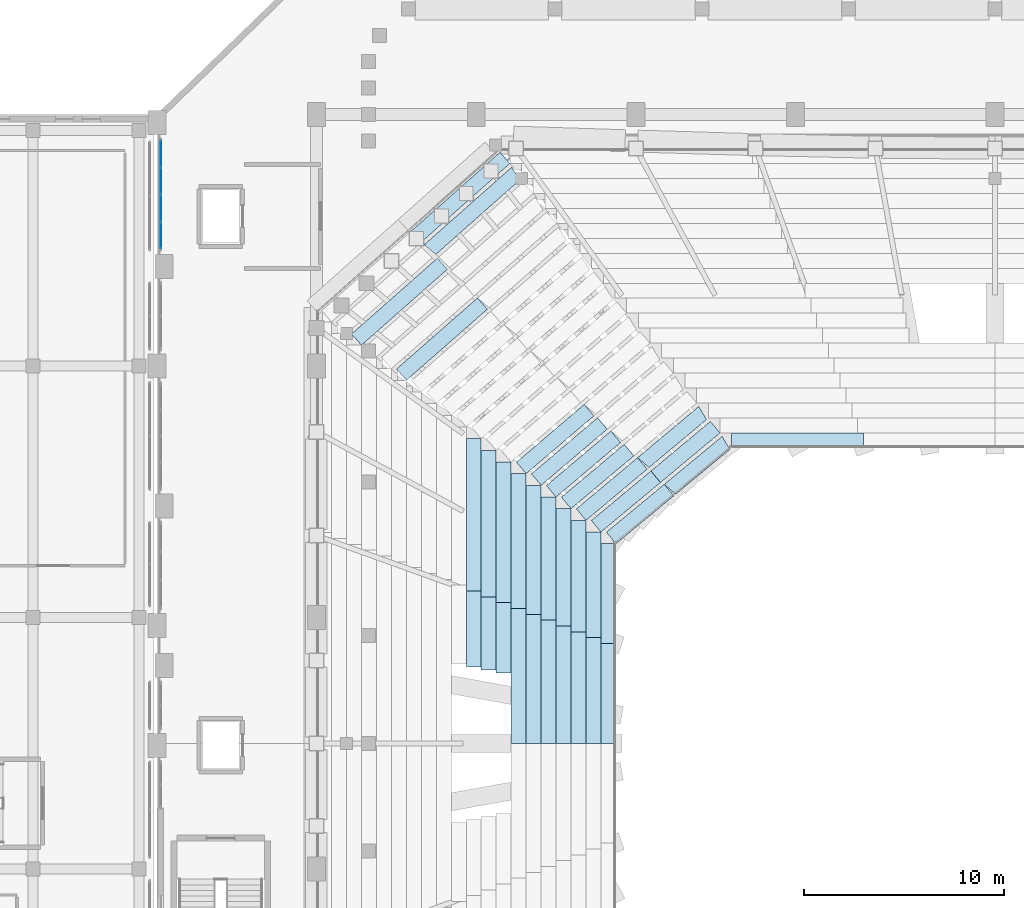
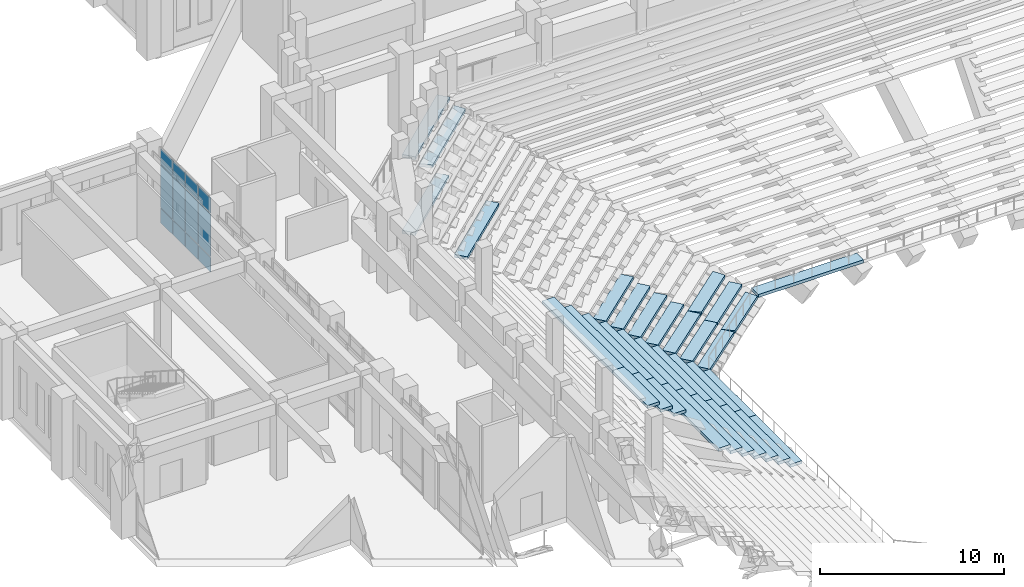
# One storey, part 101 of 159: 35 slabs, 12 plates, 1 element without a shape of its own.
"""IFC4 building model written with IfcOpenShell, lengths in metres."""

from ifc_helpers import new_model, si_unit, derived_unit, direction, frame, origin, origin_2d, place, context, subcontext, project, spatial, polyline, rectangle, outline, extrude, material, layer, layer_set, type_object, element, aggregate, save


model = new_model("IFC4")

# Units and contexts
model_context = context("Model", 3, precision=1e-05, world=origin(), true_north=direction((0.0, 1.0)))
body_context = subcontext(model_context, "Body", "Model", "MODEL_VIEW")
ifc_project = project(units=[si_unit("LENGTHUNIT", "METRE"), si_unit("AREAUNIT", "SQUARE_METRE"), si_unit("VOLUMEUNIT", "CUBIC_METRE"), si_unit("PLANEANGLEUNIT", "RADIAN"), si_unit("MASSUNIT", "GRAM", prefix="KILO"), derived_unit("THERMALTRANSMITTANCEUNIT", [(si_unit("MASSUNIT", "GRAM", prefix="KILO"), 1), (si_unit("TIMEUNIT", "SECOND"), -3), (si_unit("THERMODYNAMICTEMPERATUREUNIT", "KELVIN"), -1)])], contexts=[model_context])

# Site, building, storey
site_placement = place(None, origin())
site = spatial("IfcSite", under=ifc_project, at=site_placement, CompositionType="ELEMENT")
building_placement = place(site_placement, origin())
building = spatial("IfcBuilding", under=site, at=building_placement, Name="Valcora Ridge Arena", CompositionType="ELEMENT")
storey_placement = place(building_placement, frame((0.0, 0.0, 6.0)))
storey = spatial("IfcBuildingStorey", under=building, at=storey_placement, Name="L01", CompositionType="ELEMENT", Elevation=6.0)

# Curtain wall, plates
ifc_material_1 = material(Name="Anodised dark bronze architectural aluminium 6063-T6", Category="aluminium")
ifc_layer_1 = layer(ifc_material_1, 0.179931640625, Name="Anodised dark bronze architectural aluminium 6063-T6")
ifc_layer_set_1 = layer_set([ifc_layer_1], Name="Anodised dark bronze architectural aluminium 6063-T6")
curtain_wall_type = type_object("IfcCurtainWallType", Name="TY-CURTAINWALL-CW-V1-GOTH-055X50", PredefinedType="NOTDEFINED", material=ifc_layer_set_1)
curtain_wall_placement = place(storey_placement, origin())
curtain_wall = element("IfcCurtainWall", 1, at=curtain_wall_placement, inside=storey, type_object=curtain_wall_type, Name="CW-V1-GOTH-055X50 CW-0097", PredefinedType="NOTDEFINED")
ifc_material_2 = material(Name="Low-iron solar-control double glazing SHGC 0.28", Category="glass")
ifc_layer_2 = layer(ifc_material_2, 0.031982421875, Name="Low-iron solar-control double glazing SHGC 0.28")
ifc_layer_set_2 = layer_set([ifc_layer_2], Name="Low-iron solar-control double glazing SHGC 0.28")
plate_type_1 = type_object("IfcPlateType", Name="TY-PLT-CWP-1290X0960", PredefinedType="CURTAIN_PANEL", material=ifc_layer_set_2)
plate_1_placement = place(storey_placement, frame((16.199951171875, 89.544921875, 0.06005859375), z_axis=(0.0, 0.0, 1.0), x_axis=(0.0, 1.0, 0.0)))
plate_1 = element("IfcPlate", 2, at=plate_1_placement, type_object=plate_type_1, Name="CW-0097/P00-00", PredefinedType="CURTAIN_PANEL", context=body_context, shape_type="SweptSolid", body=[
    extrude(rectangle(XDim=1.2900390625, YDim=0.031982421875, at=origin_2d()), origin(), (0.0, 0.0, 1.0), 0.9599609375),
])
plate_2_placement = place(storey_placement, frame((16.199951171875, 93.655029296875, 0.06005859375), z_axis=(0.0, 0.0, 1.0), x_axis=(0.0, 1.0, 0.0)))
plate_2 = element("IfcPlate", 3, at=plate_2_placement, type_object=plate_type_1, Name="CW-0097/P03-00", PredefinedType="CURTAIN_PANEL", context=body_context, shape_type="SweptSolid", body=[
    extrude(rectangle(XDim=1.2900390625, YDim=0.031982421875, at=origin_2d()), origin(), (0.0, 0.0, 1.0), 0.9599609375),
])
ifc_layer_3 = layer(ifc_material_2, 0.031982421875, Name="Low-iron solar-control double glazing SHGC 0.28")
ifc_layer_set_3 = layer_set([ifc_layer_3], Name="Low-iron solar-control double glazing SHGC 0.28")
plate_type_2 = type_object("IfcPlateType", Name="TY-PLT-CWP-1290X1010", PredefinedType="CURTAIN_PANEL", material=ifc_layer_set_3)
plate_3_placement = place(storey_placement, frame((16.199951171875, 89.544921875, 3.97021484375), z_axis=(0.0, 0.0, 1.0), x_axis=(0.0, 1.0, 0.0)))
plate_3 = element("IfcPlate", 4, at=plate_3_placement, type_object=plate_type_2, Name="CW-0097/P00-02", PredefinedType="CURTAIN_PANEL", context=body_context, shape_type="SweptSolid", body=[
    extrude(rectangle(XDim=1.2900390625, YDim=0.031982421875, at=origin_2d()), origin(), (0.0, 0.0, 1.0), 1.010009765625),
])
plate_4_placement = place(storey_placement, frame((16.199951171875, 93.655029296875, 3.97021484375), z_axis=(0.0, 0.0, 1.0), x_axis=(0.0, 1.0, 0.0)))
plate_4 = element("IfcPlate", 5, at=plate_4_placement, type_object=plate_type_2, Name="CW-0097/P03-02", PredefinedType="CURTAIN_PANEL", context=body_context, shape_type="SweptSolid", body=[
    extrude(rectangle(XDim=1.2900390625, YDim=0.031982421875, at=origin_2d()), origin(), (0.0, 0.0, 1.0), 1.010009765625),
])
ifc_layer_4 = layer(ifc_material_2, 0.031982421875, Name="Low-iron solar-control double glazing SHGC 0.28")
ifc_layer_set_4 = layer_set([ifc_layer_4], Name="Low-iron solar-control double glazing SHGC 0.28")
plate_type_3 = type_object("IfcPlateType", Name="TY-PLT-CWP-1290X2830", PredefinedType="CURTAIN_PANEL", material=ifc_layer_set_4)
plate_5_placement = place(storey_placement, frame((16.199951171875, 89.544921875, 1.080078125), z_axis=(0.0, 0.0, 1.0), x_axis=(0.0, 1.0, 0.0)))
plate_5 = element("IfcPlate", 6, at=plate_5_placement, type_object=plate_type_3, Name="CW-0097/P00-01", PredefinedType="CURTAIN_PANEL", context=body_context, shape_type="SweptSolid", body=[
    extrude(rectangle(XDim=1.2900390625, YDim=0.031982421875, at=origin_2d()), origin(), (0.0, 0.0, 1.0), 2.830078125),
])
plate_6_placement = place(storey_placement, frame((16.199951171875, 93.655029296875, 1.080078125), z_axis=(0.0, 0.0, 1.0), x_axis=(0.0, 1.0, 0.0)))
plate_6 = element("IfcPlate", 7, at=plate_6_placement, type_object=plate_type_3, Name="CW-0097/P03-01", PredefinedType="CURTAIN_PANEL", context=body_context, shape_type="SweptSolid", body=[
    extrude(rectangle(XDim=1.2900390625, YDim=0.031982421875, at=origin_2d()), origin(), (0.0, 0.0, 1.0), 2.830078125),
])
ifc_layer_5 = layer(ifc_material_2, 0.031982421875, Name="Low-iron solar-control double glazing SHGC 0.28")
ifc_layer_set_5 = layer_set([ifc_layer_5], Name="Low-iron solar-control double glazing SHGC 0.28")
plate_type_4 = type_object("IfcPlateType", Name="TY-PLT-CWP-1320X0960", PredefinedType="CURTAIN_PANEL", material=ifc_layer_set_5)
plate_7_placement = place(storey_placement, frame((16.199951171875, 90.909912109375, 0.06005859375), z_axis=(0.0, 0.0, 1.0), x_axis=(0.0, 1.0, 0.0)))
plate_7 = element("IfcPlate", 8, at=plate_7_placement, type_object=plate_type_4, Name="CW-0097/P01-00", PredefinedType="CURTAIN_PANEL", context=body_context, shape_type="SweptSolid", body=[
    extrude(rectangle(XDim=1.320068359375, YDim=0.031982421875, at=origin_2d()), origin(), (0.0, 0.0, 1.0), 0.9599609375),
])
plate_8_placement = place(storey_placement, frame((16.199951171875, 92.2900390625, 0.06005859375), z_axis=(0.0, 0.0, 1.0), x_axis=(0.0, 1.0, 0.0)))
plate_8 = element("IfcPlate", 9, at=plate_8_placement, type_object=plate_type_4, Name="CW-0097/P02-00", PredefinedType="CURTAIN_PANEL", context=body_context, shape_type="SweptSolid", body=[
    extrude(rectangle(XDim=1.320068359375, YDim=0.031982421875, at=origin_2d()), origin(), (0.0, 0.0, 1.0), 0.9599609375),
])
ifc_layer_6 = layer(ifc_material_2, 0.031982421875, Name="Low-iron solar-control double glazing SHGC 0.28")
ifc_layer_set_6 = layer_set([ifc_layer_6], Name="Low-iron solar-control double glazing SHGC 0.28")
plate_type_5 = type_object("IfcPlateType", Name="TY-PLT-CWP-1320X1010", PredefinedType="CURTAIN_PANEL", material=ifc_layer_set_6)
plate_9_placement = place(storey_placement, frame((16.199951171875, 90.909912109375, 3.97021484375), z_axis=(0.0, 0.0, 1.0), x_axis=(0.0, 1.0, 0.0)))
plate_9 = element("IfcPlate", 10, at=plate_9_placement, type_object=plate_type_5, Name="CW-0097/P01-02", PredefinedType="CURTAIN_PANEL", context=body_context, shape_type="SweptSolid", body=[
    extrude(rectangle(XDim=1.320068359375, YDim=0.031982421875, at=origin_2d()), origin(), (0.0, 0.0, 1.0), 1.010009765625),
])
plate_10_placement = place(storey_placement, frame((16.199951171875, 92.2900390625, 3.97021484375), z_axis=(0.0, 0.0, 1.0), x_axis=(0.0, 1.0, 0.0)))
plate_10 = element("IfcPlate", 11, at=plate_10_placement, type_object=plate_type_5, Name="CW-0097/P02-02", PredefinedType="CURTAIN_PANEL", context=body_context, shape_type="SweptSolid", body=[
    extrude(rectangle(XDim=1.320068359375, YDim=0.031982421875, at=origin_2d()), origin(), (0.0, 0.0, 1.0), 1.010009765625),
])
ifc_layer_7 = layer(ifc_material_2, 0.031982421875, Name="Low-iron solar-control double glazing SHGC 0.28")
ifc_layer_set_7 = layer_set([ifc_layer_7], Name="Low-iron solar-control double glazing SHGC 0.28")
plate_type_6 = type_object("IfcPlateType", Name="TY-PLT-CWP-1320X2830", PredefinedType="CURTAIN_PANEL", material=ifc_layer_set_7)
plate_11_placement = place(storey_placement, frame((16.199951171875, 90.909912109375, 1.080078125), z_axis=(0.0, 0.0, 1.0), x_axis=(0.0, 1.0, 0.0)))
plate_11 = element("IfcPlate", 12, at=plate_11_placement, type_object=plate_type_6, Name="CW-0097/P01-01", PredefinedType="CURTAIN_PANEL", context=body_context, shape_type="SweptSolid", body=[
    extrude(rectangle(XDim=1.320068359375, YDim=0.031982421875, at=origin_2d()), origin(), (0.0, 0.0, 1.0), 2.830078125),
])
plate_12_placement = place(storey_placement, frame((16.199951171875, 92.2900390625, 1.080078125), z_axis=(0.0, 0.0, 1.0), x_axis=(0.0, 1.0, 0.0)))
plate_12 = element("IfcPlate", 13, at=plate_12_placement, type_object=plate_type_6, Name="CW-0097/P02-01", PredefinedType="CURTAIN_PANEL", context=body_context, shape_type="SweptSolid", body=[
    extrude(rectangle(XDim=1.320068359375, YDim=0.031982421875, at=origin_2d()), origin(), (0.0, 0.0, 1.0), 2.830078125),
])
aggregate(curtain_wall, [plate_1, plate_5, plate_3, plate_7, plate_11, plate_9, plate_8, plate_12, plate_10, plate_2, plate_6, plate_4])

# Slabs
ifc_material_3 = material(Name="Precast concrete C45/55", Category="concrete")
ifc_layer_8 = layer(ifc_material_3, 0.199951171875, Name="Precast concrete C45/55")
ifc_layer_set_8 = layer_set([ifc_layer_8], Name="Precast concrete C45/55")
slab_type_1 = type_object("IfcSlabType", Name="TY-SLAB-ST-LOW-L035", PredefinedType="USERDEFINED", material=ifc_layer_set_8)
slab_1_placement = place(storey_placement, frame((0.0, 0.0, -2.52001953125)))
element("IfcSlab", 14, at=slab_1_placement, inside=storey, type_object=slab_type_1, Name="ST-LOW-L035 SLB-TR-0188", ObjectType="SEATING TIER", PredefinedType="USERDEFINED", context=body_context, shape_type="SweptSolid", body=[
    extrude(outline(polyline([(33.75, 71.1474609375), (33.75, 67.623779296875), (33.0, 67.623779296875), (33.0, 71.1474609375), (33.75, 71.1474609375)])), origin(), (0.0, 0.0, 1.0), 0.199951171875),
])
ifc_layer_9 = layer(ifc_material_3, 0.199951171875, Name="Precast concrete C45/55")
ifc_layer_set_9 = layer_set([ifc_layer_9], Name="Precast concrete C45/55")
slab_type_2 = type_object("IfcSlabType", Name="TY-SLAB-ST-LOW-L037", PredefinedType="USERDEFINED", material=ifc_layer_set_9)
slab_2_placement = place(storey_placement, frame((0.0, 0.0, -2.080078125)))
element("IfcSlab", 15, at=slab_2_placement, inside=storey, type_object=slab_type_2, Name="ST-LOW-L037 SLB-TR-0212", ObjectType="SEATING TIER", PredefinedType="USERDEFINED", context=body_context, shape_type="SweptSolid", body=[
    extrude(outline(polyline([(33.0, 71.43994140625), (33.0, 67.77001953125), (32.25, 67.77001953125), (32.25, 71.43994140625), (33.0, 71.43994140625)])), origin(), (0.0, 0.0, 1.0), 0.2001953125),
])
ifc_layer_10 = layer(ifc_material_3, 0.199951171875, Name="Precast concrete C45/55")
ifc_layer_set_10 = layer_set([ifc_layer_10], Name="Precast concrete C45/55")
slab_type_3 = type_object("IfcSlabType", Name="TY-SLAB-ST-LOW-L038", PredefinedType="USERDEFINED", material=ifc_layer_set_10)
slab_3_placement = place(storey_placement, frame((0.0, 0.0, -5.60009765625)))
element("IfcSlab", 16, at=slab_3_placement, inside=storey, type_object=slab_type_3, Name="ST-LOW-L038 SLB-TR-0018", ObjectType="SEATING TIER", PredefinedType="USERDEFINED", context=body_context, shape_type="SweptSolid", body=[
    extrude(outline(polyline([(41.89990234375, 76.5), (39.0, 74.10009765625), (38.521728515625, 74.677734375), (41.421875, 77.077880859375), (41.89990234375, 76.5)])), origin(), (0.0, 0.0, 1.0), 0.2001953125),
])
slab_4_placement = place(storey_placement, frame((0.0, 0.0, -1.639892578125)))
element("IfcSlab", 17, at=slab_4_placement, inside=storey, type_object=slab_type_3, Name="ST-LOW-L038 SLB-TR-0236", ObjectType="SEATING TIER", PredefinedType="USERDEFINED", context=body_context, shape_type="SweptSolid", body=[
    extrude(outline(polyline([(32.25, 71.732421875), (32.25, 67.916259765625), (31.5, 67.916259765625), (31.5, 71.732421875), (32.25, 71.732421875)])), origin(), (0.0, 0.0, 1.0), 0.199951171875),
])
ifc_layer_11 = layer(ifc_material_3, 0.199951171875, Name="Precast concrete C45/55")
ifc_layer_set_11 = layer_set([ifc_layer_11], Name="Precast concrete C45/55")
slab_type_4 = type_object("IfcSlabType", Name="TY-SLAB-ST-LOW-L039", PredefinedType="USERDEFINED", material=ifc_layer_set_11)
slab_5_placement = place(storey_placement, frame((0.0, 0.0, -5.159912109375)))
element("IfcSlab", 18, at=slab_5_placement, inside=storey, type_object=slab_type_4, Name="ST-LOW-L039 SLB-TR-0041", ObjectType="SEATING TIER", PredefinedType="USERDEFINED", context=body_context, shape_type="SweptSolid", body=[
    extrude(outline(polyline([(44.215087890625, 79.64990234375), (41.232421875, 77.16748046875), (40.752685546875, 77.743896484375), (43.735107421875, 80.226318359375), (44.215087890625, 79.64990234375)])), origin(), (0.0, 0.0, 1.0), 0.199951171875),
])
slab_6_placement = place(storey_placement, frame((0.0, 0.0, -5.159912109375)))
element("IfcSlab", 19, at=slab_6_placement, inside=storey, type_object=slab_type_4, Name="ST-LOW-L039 SLB-TR-0042", ObjectType="SEATING TIER", PredefinedType="USERDEFINED", context=body_context, shape_type="SweptSolid", body=[
    extrude(outline(polyline([(41.232421875, 77.16748046875), (38.25, 74.68505859375), (37.770263671875, 75.261474609375), (40.752685546875, 77.743896484375), (41.232421875, 77.16748046875)])), origin(), (0.0, 0.0, 1.0), 0.199951171875),
])
ifc_layer_12 = layer(ifc_material_3, 0.199951171875, Name="Precast concrete C45/55")
ifc_layer_set_12 = layer_set([ifc_layer_12], Name="Precast concrete C45/55")
slab_type_5 = type_object("IfcSlabType", Name="TY-SLAB-ST-LOW-L040", PredefinedType="USERDEFINED", material=ifc_layer_set_12)
slab_7_placement = place(storey_placement, frame((0.0, 0.0, -4.719970703125)))
element("IfcSlab", 20, at=slab_7_placement, inside=storey, type_object=slab_type_5, Name="ST-LOW-L040 SLB-TR-0066", ObjectType="SEATING TIER", PredefinedType="USERDEFINED", context=body_context, shape_type="SweptSolid", body=[
    extrude(outline(polyline([(40.56494140625, 77.8349609375), (37.5, 75.27001953125), (37.018798828125, 75.84521484375), (40.083740234375, 78.41015625), (40.56494140625, 77.8349609375)])), origin(), (0.0, 0.0, 1.0), 0.199951171875),
])
ifc_layer_13 = layer(ifc_material_3, 0.199951171875, Name="Precast concrete C45/55")
ifc_layer_set_13 = layer_set([ifc_layer_13], Name="Precast concrete C45/55")
slab_type_6 = type_object("IfcSlabType", Name="TY-SLAB-ST-LOW-L041", PredefinedType="USERDEFINED", material=ifc_layer_set_13)
slab_8_placement = place(storey_placement, frame((0.0, 0.0, -4.280029296875)))
element("IfcSlab", 21, at=slab_8_placement, inside=storey, type_object=slab_type_6, Name="ST-LOW-L041 SLB-TR-0090", ObjectType="SEATING TIER", PredefinedType="USERDEFINED", context=body_context, shape_type="SweptSolid", body=[
    extrude(outline(polyline([(39.8974609375, 78.50244140625), (36.75, 75.85498046875), (36.26708984375, 76.428955078125), (39.414794921875, 79.076416015625), (39.8974609375, 78.50244140625)])), origin(), (0.0, 0.0, 1.0), 0.199951171875),
])
ifc_layer_14 = layer(ifc_material_3, 0.199951171875, Name="Precast concrete C45/55")
ifc_layer_set_14 = layer_set([ifc_layer_14], Name="Precast concrete C45/55")
slab_type_7 = type_object("IfcSlabType", Name="TY-SLAB-ST-LOW-L042", PredefinedType="USERDEFINED", material=ifc_layer_set_14)
slab_9_placement = place(storey_placement, frame((0.0, 0.0, -3.840087890625)))
element("IfcSlab", 22, at=slab_9_placement, inside=storey, type_object=slab_type_7, Name="ST-LOW-L042 SLB-TR-0114", ObjectType="SEATING TIER", PredefinedType="USERDEFINED", context=body_context, shape_type="SweptSolid", body=[
    extrude(outline(polyline([(39.22998046875, 79.169921875), (36.0, 76.43994140625), (35.515869140625, 77.0126953125), (38.745849609375, 79.742919921875), (39.22998046875, 79.169921875)])), origin(), (0.0, 0.0, 1.0), 0.2001953125),
])
ifc_layer_15 = layer(ifc_material_3, 0.199951171875, Name="Precast concrete C45/55")
ifc_layer_set_15 = layer_set([ifc_layer_15], Name="Precast concrete C45/55")
slab_type_8 = type_object("IfcSlabType", Name="TY-SLAB-ST-LOW-L043", PredefinedType="USERDEFINED", material=ifc_layer_set_15)
slab_10_placement = place(storey_placement, frame((0.0, 0.0, -3.39990234375)))
element("IfcSlab", 23, at=slab_10_placement, inside=storey, type_object=slab_type_8, Name="ST-LOW-L043 SLB-TR-0138", ObjectType="SEATING TIER", PredefinedType="USERDEFINED", context=body_context, shape_type="SweptSolid", body=[
    extrude(outline(polyline([(38.5625, 79.83740234375), (35.25, 77.02490234375), (34.7646484375, 77.5966796875), (38.0771484375, 80.4091796875), (38.5625, 79.83740234375)])), origin(), (0.0, 0.0, 1.0), 0.199951171875),
])
ifc_layer_16 = layer(ifc_material_3, 0.199951171875, Name="Precast concrete C45/55")
ifc_layer_set_16 = layer_set([ifc_layer_16], Name="Precast concrete C45/55")
slab_type_9 = type_object("IfcSlabType", Name="TY-SLAB-ST-LOW-L045", PredefinedType="USERDEFINED", material=ifc_layer_set_16)
slab_11_placement = place(storey_placement, frame((0.0, 0.0, -2.9599609375)))
element("IfcSlab", 24, at=slab_11_placement, inside=storey, type_object=slab_type_9, Name="ST-LOW-L045 SLB-TR-0162", ObjectType="SEATING TIER", PredefinedType="USERDEFINED", context=body_context, shape_type="SweptSolid", body=[
    extrude(outline(polyline([(37.89501953125, 80.5048828125), (34.5, 77.610107421875), (34.013427734375, 78.1806640625), (37.408447265625, 81.07568359375), (37.89501953125, 80.5048828125)])), origin(), (0.0, 0.0, 1.0), 0.199951171875),
])
ifc_layer_17 = layer(ifc_material_3, 0.199951171875, Name="Precast concrete C45/55")
ifc_layer_set_17 = layer_set([ifc_layer_17], Name="Precast concrete C45/55")
slab_type_10 = type_object("IfcSlabType", Name="TY-SLAB-ST-LOW-L050", PredefinedType="USERDEFINED", material=ifc_layer_set_17)
slab_12_placement = place(storey_placement, frame((0.0, 0.0, -5.60009765625)))
element("IfcSlab", 25, at=slab_12_placement, inside=storey, type_object=slab_type_10, Name="ST-LOW-L050 SLB-TR-0019", ObjectType="SEATING TIER", PredefinedType="USERDEFINED", context=body_context, shape_type="SweptSolid", body=[
    extrude(outline(polyline([(39.0, 74.10009765625), (39.0, 69.10009765625), (38.25, 69.10009765625), (38.25, 74.10009765625), (39.0, 74.10009765625)])), origin(), (0.0, 0.0, 1.0), 0.2001953125),
])
slab_13_placement = place(storey_placement, frame((0.0, 0.0, -5.60009765625)))
element("IfcSlab", 26, at=slab_13_placement, inside=storey, type_object=slab_type_10, Name="ST-LOW-L050 SLB-TR-0020", ObjectType="SEATING TIER", PredefinedType="USERDEFINED", context=body_context, shape_type="SweptSolid", body=[
    extrude(outline(polyline([(39.0, 69.10009765625), (39.0, 64.10009765625), (38.25, 64.10009765625), (38.25, 69.10009765625), (39.0, 69.10009765625)])), origin(), (0.0, 0.0, 1.0), 0.2001953125),
])
ifc_layer_18 = layer(ifc_material_3, 0.199951171875, Name="Precast concrete C45/55")
ifc_layer_set_18 = layer_set([ifc_layer_18], Name="Precast concrete C45/55")
slab_type_11 = type_object("IfcSlabType", Name="TY-SLAB-ST-LOW-L053", PredefinedType="USERDEFINED", material=ifc_layer_set_18)
slab_14_placement = place(storey_placement, frame((0.0, 0.0, -5.159912109375)))
element("IfcSlab", 27, at=slab_14_placement, inside=storey, type_object=slab_type_11, Name="ST-LOW-L053 SLB-TR-0043", ObjectType="SEATING TIER", PredefinedType="USERDEFINED", context=body_context, shape_type="SweptSolid", body=[
    extrude(outline(polyline([(38.25, 74.68505859375), (38.25, 69.392578125), (37.5, 69.392578125), (37.5, 74.68505859375), (38.25, 74.68505859375)])), origin(), (0.0, 0.0, 1.0), 0.199951171875),
])
slab_15_placement = place(storey_placement, frame((0.0, 0.0, -5.159912109375)))
element("IfcSlab", 28, at=slab_15_placement, inside=storey, type_object=slab_type_11, Name="ST-LOW-L053 SLB-TR-0044", ObjectType="SEATING TIER", PredefinedType="USERDEFINED", context=body_context, shape_type="SweptSolid", body=[
    extrude(outline(polyline([(38.25, 69.392578125), (38.25, 64.10009765625), (37.5, 64.10009765625), (37.5, 69.392578125), (38.25, 69.392578125)])), origin(), (0.0, 0.0, 1.0), 0.199951171875),
])
ifc_layer_19 = layer(ifc_material_3, 0.199951171875, Name="Precast concrete C45/55")
ifc_layer_set_19 = layer_set([ifc_layer_19], Name="Precast concrete C45/55")
slab_type_12 = type_object("IfcSlabType", Name="TY-SLAB-ST-LOW-L054", PredefinedType="USERDEFINED", material=ifc_layer_set_19)
slab_16_placement = place(storey_placement, frame((0.0, 0.0, 0.56005859375)))
element("IfcSlab", 29, at=slab_16_placement, inside=storey, type_object=slab_type_12, Name="ST-LOW-L054 SLB-TR-0354", ObjectType="SEATING TIER", PredefinedType="USERDEFINED", context=body_context, shape_type="SweptSolid", body=[
    extrude(outline(polyline([(32.554931640625, 85.844970703125), (28.5, 82.2900390625), (28.005615234375, 82.85400390625), (32.060546875, 86.408935546875), (32.554931640625, 85.844970703125)])), origin(), (0.0, 0.0, 1.0), 0.199951171875),
])
ifc_layer_20 = layer(ifc_material_3, 0.199951171875, Name="Precast concrete C45/55")
ifc_layer_set_20 = layer_set([ifc_layer_20], Name="Precast concrete C45/55")
slab_type_13 = type_object("IfcSlabType", Name="TY-SLAB-ST-LOW-L056", PredefinedType="USERDEFINED", material=ifc_layer_set_20)
slab_17_placement = place(storey_placement, frame((0.0, 0.0, -4.719970703125)))
element("IfcSlab", 30, at=slab_17_placement, inside=storey, type_object=slab_type_13, Name="ST-LOW-L056 SLB-TR-0067", ObjectType="SEATING TIER", PredefinedType="USERDEFINED", context=body_context, shape_type="SweptSolid", body=[
    extrude(outline(polyline([(37.5, 75.27001953125), (37.5, 69.68505859375), (36.75, 69.68505859375), (36.75, 75.27001953125), (37.5, 75.27001953125)])), origin(), (0.0, 0.0, 1.0), 0.199951171875),
])
slab_18_placement = place(storey_placement, frame((0.0, 0.0, -4.719970703125)))
element("IfcSlab", 31, at=slab_18_placement, inside=storey, type_object=slab_type_13, Name="ST-LOW-L056 SLB-TR-0068", ObjectType="SEATING TIER", PredefinedType="USERDEFINED", context=body_context, shape_type="SweptSolid", body=[
    extrude(outline(polyline([(37.5, 69.68505859375), (37.5, 64.10009765625), (36.75, 64.10009765625), (36.75, 69.68505859375), (37.5, 69.68505859375)])), origin(), (0.0, 0.0, 1.0), 0.199951171875),
])
ifc_layer_21 = layer(ifc_material_3, 0.199951171875, Name="Precast concrete C45/55")
ifc_layer_set_21 = layer_set([ifc_layer_21], Name="Precast concrete C45/55")
slab_type_14 = type_object("IfcSlabType", Name="TY-SLAB-ST-LOW-L057", PredefinedType="USERDEFINED", material=ifc_layer_set_21)
slab_19_placement = place(storey_placement, frame((0.0, 0.0, 1.8798828125)))
element("IfcSlab", 32, at=slab_19_placement, inside=storey, type_object=slab_type_14, Name="ST-LOW-L057 SLB-TR-0426", ObjectType="SEATING TIER", PredefinedType="USERDEFINED", context=body_context, shape_type="SweptSolid", body=[
    extrude(outline(polyline([(30.552490234375, 87.847412109375), (26.25, 84.044921875), (25.75341796875, 84.60693359375), (30.055908203125, 88.409423828125), (30.552490234375, 87.847412109375)])), origin(), (0.0, 0.0, 1.0), 0.2001953125),
])
ifc_layer_22 = layer(ifc_material_3, 0.199951171875, Name="Precast concrete C45/55")
ifc_layer_set_22 = layer_set([ifc_layer_22], Name="Precast concrete C45/55")
slab_type_15 = type_object("IfcSlabType", Name="TY-SLAB-ST-LOW-L059", PredefinedType="USERDEFINED", material=ifc_layer_set_22)
slab_20_placement = place(storey_placement, frame((0.0, 0.0, -4.280029296875)))
element("IfcSlab", 33, at=slab_20_placement, inside=storey, type_object=slab_type_15, Name="ST-LOW-L059 SLB-TR-0091", ObjectType="SEATING TIER", PredefinedType="USERDEFINED", context=body_context, shape_type="SweptSolid", body=[
    extrude(outline(polyline([(36.75, 75.85498046875), (36.75, 69.9775390625), (36.0, 69.9775390625), (36.0, 75.85498046875), (36.75, 75.85498046875)])), origin(), (0.0, 0.0, 1.0), 0.199951171875),
])
slab_21_placement = place(storey_placement, frame((0.0, 0.0, -4.280029296875)))
element("IfcSlab", 34, at=slab_21_placement, inside=storey, type_object=slab_type_15, Name="ST-LOW-L059 SLB-TR-0092", ObjectType="SEATING TIER", PredefinedType="USERDEFINED", context=body_context, shape_type="SweptSolid", body=[
    extrude(outline(polyline([(36.75, 69.9775390625), (36.75, 64.10009765625), (36.0, 64.10009765625), (36.0, 69.9775390625), (36.75, 69.9775390625)])), origin(), (0.0, 0.0, 1.0), 0.199951171875),
])
ifc_layer_23 = layer(ifc_material_3, 0.199951171875, Name="Precast concrete C45/55")
ifc_layer_set_23 = layer_set([ifc_layer_23], Name="Precast concrete C45/55")
slab_type_16 = type_object("IfcSlabType", Name="TY-SLAB-ST-LOW-L060", PredefinedType="USERDEFINED", material=ifc_layer_set_23)
slab_22_placement = place(storey_placement, frame((0.0, 0.0, 2.760009765625)))
element("IfcSlab", 35, at=slab_22_placement, inside=storey, type_object=slab_type_16, Name="ST-LOW-L060 SLB-TR-0473", ObjectType="SEATING TIER", PredefinedType="USERDEFINED", context=body_context, shape_type="SweptSolid", body=[
    extrude(outline(polyline([(33.68505859375, 93.14990234375), (29.217529296875, 89.1826171875), (28.719482421875, 89.743408203125), (33.18701171875, 93.710693359375), (33.68505859375, 93.14990234375)])), origin(), (0.0, 0.0, 1.0), 0.199951171875),
])
ifc_layer_24 = layer(ifc_material_3, 0.199951171875, Name="Precast concrete C45/55")
ifc_layer_set_24 = layer_set([ifc_layer_24], Name="Precast concrete C45/55")
slab_type_17 = type_object("IfcSlabType", Name="TY-SLAB-ST-LOW-L062", PredefinedType="USERDEFINED", material=ifc_layer_set_24)
slab_23_placement = place(storey_placement, frame((0.0, 0.0, -3.840087890625)))
element("IfcSlab", 36, at=slab_23_placement, inside=storey, type_object=slab_type_17, Name="ST-LOW-L062 SLB-TR-0115", ObjectType="SEATING TIER", PredefinedType="USERDEFINED", context=body_context, shape_type="SweptSolid", body=[
    extrude(outline(polyline([(36.0, 76.43994140625), (36.0, 70.27001953125), (35.25, 70.27001953125), (35.25, 76.43994140625), (36.0, 76.43994140625)])), origin(), (0.0, 0.0, 1.0), 0.2001953125),
])
slab_24_placement = place(storey_placement, frame((0.0, 0.0, -3.840087890625)))
element("IfcSlab", 37, at=slab_24_placement, inside=storey, type_object=slab_type_17, Name="ST-LOW-L062 SLB-TR-0116", ObjectType="SEATING TIER", PredefinedType="USERDEFINED", context=body_context, shape_type="SweptSolid", body=[
    extrude(outline(polyline([(36.0, 70.27001953125), (36.0, 64.10009765625), (35.25, 64.10009765625), (35.25, 70.27001953125), (36.0, 70.27001953125)])), origin(), (0.0, 0.0, 1.0), 0.2001953125),
])
ifc_layer_25 = layer(ifc_material_3, 0.199951171875, Name="Precast concrete C45/55")
ifc_layer_set_25 = layer_set([ifc_layer_25], Name="Precast concrete C45/55")
slab_type_18 = type_object("IfcSlabType", Name="TY-SLAB-ST-LOW-L065", PredefinedType="USERDEFINED", material=ifc_layer_set_25)
slab_25_placement = place(storey_placement, frame((0.0, 0.0, -3.39990234375)))
element("IfcSlab", 38, at=slab_25_placement, inside=storey, type_object=slab_type_18, Name="ST-LOW-L065 SLB-TR-0139", ObjectType="SEATING TIER", PredefinedType="USERDEFINED", context=body_context, shape_type="SweptSolid", body=[
    extrude(outline(polyline([(35.25, 77.02490234375), (35.25, 70.5625), (34.5, 70.5625), (34.5, 77.02490234375), (35.25, 77.02490234375)])), origin(), (0.0, 0.0, 1.0), 0.199951171875),
])
slab_26_placement = place(storey_placement, frame((0.0, 0.0, -3.39990234375)))
element("IfcSlab", 39, at=slab_26_placement, inside=storey, type_object=slab_type_18, Name="ST-LOW-L065 SLB-TR-0140", ObjectType="SEATING TIER", PredefinedType="USERDEFINED", context=body_context, shape_type="SweptSolid", body=[
    extrude(outline(polyline([(35.25, 70.5625), (35.25, 64.10009765625), (34.5, 64.10009765625), (34.5, 70.5625), (35.25, 70.5625)])), origin(), (0.0, 0.0, 1.0), 0.199951171875),
])
ifc_layer_26 = layer(ifc_material_3, 0.199951171875, Name="Precast concrete C45/55")
ifc_layer_set_26 = layer_set([ifc_layer_26], Name="Precast concrete C45/55")
slab_type_19 = type_object("IfcSlabType", Name="TY-SLAB-ST-LOW-L066", PredefinedType="USERDEFINED", material=ifc_layer_set_26)
slab_27_placement = place(storey_placement, frame((0.0, 0.0, -5.60009765625)))
element("IfcSlab", 40, at=slab_27_placement, inside=storey, type_object=slab_type_19, Name="ST-LOW-L066 SLB-TR-0016", ObjectType="SEATING TIER", PredefinedType="USERDEFINED", context=body_context, shape_type="SweptSolid", body=[
    extrude(outline(polyline([(51.39990234375, 78.89990234375), (44.800048828125, 78.89990234375), (44.800048828125, 79.64990234375), (51.39990234375, 79.64990234375), (51.39990234375, 78.89990234375)])), origin(), (0.0, 0.0, 1.0), 0.2001953125),
])
ifc_layer_27 = layer(ifc_material_3, 0.199951171875, Name="Precast concrete C45/55")
ifc_layer_set_27 = layer_set([ifc_layer_27], Name="Precast concrete C45/55")
slab_type_20 = type_object("IfcSlabType", Name="TY-SLAB-ST-LOW-L068", PredefinedType="USERDEFINED", material=ifc_layer_set_27)
slab_28_placement = place(storey_placement, frame((0.0, 0.0, -2.9599609375)))
element("IfcSlab", 41, at=slab_28_placement, inside=storey, type_object=slab_type_20, Name="ST-LOW-L068 SLB-TR-0163", ObjectType="SEATING TIER", PredefinedType="USERDEFINED", context=body_context, shape_type="SweptSolid", body=[
    extrude(outline(polyline([(34.5, 77.610107421875), (34.5, 70.85498046875), (33.75, 70.85498046875), (33.75, 77.610107421875), (34.5, 77.610107421875)])), origin(), (0.0, 0.0, 1.0), 0.199951171875),
])
slab_29_placement = place(storey_placement, frame((0.0, 0.0, -2.9599609375)))
element("IfcSlab", 42, at=slab_29_placement, inside=storey, type_object=slab_type_20, Name="ST-LOW-L068 SLB-TR-0164", ObjectType="SEATING TIER", PredefinedType="USERDEFINED", context=body_context, shape_type="SweptSolid", body=[
    extrude(outline(polyline([(34.5, 70.85498046875), (34.5, 64.10009765625), (33.75, 64.10009765625), (33.75, 70.85498046875), (34.5, 70.85498046875)])), origin(), (0.0, 0.0, 1.0), 0.199951171875),
])
ifc_layer_28 = layer(ifc_material_3, 0.199951171875, Name="Precast concrete C45/55")
ifc_layer_set_28 = layer_set([ifc_layer_28], Name="Precast concrete C45/55")
slab_type_21 = type_object("IfcSlabType", Name="TY-SLAB-ST-LOW-L070", PredefinedType="USERDEFINED", material=ifc_layer_set_28)
slab_30_placement = place(storey_placement, frame((0.0, 0.0, -2.52001953125)))
element("IfcSlab", 43, at=slab_30_placement, inside=storey, type_object=slab_type_21, Name="ST-LOW-L070 SLB-TR-0187", ObjectType="SEATING TIER", PredefinedType="USERDEFINED", context=body_context, shape_type="SweptSolid", body=[
    extrude(outline(polyline([(33.75, 78.195068359375), (33.75, 71.1474609375), (33.0, 71.1474609375), (33.0, 78.195068359375), (33.75, 78.195068359375)])), origin(), (0.0, 0.0, 1.0), 0.199951171875),
])
ifc_layer_29 = layer(ifc_material_3, 0.199951171875, Name="Precast concrete C45/55")
ifc_layer_set_29 = layer_set([ifc_layer_29], Name="Precast concrete C45/55")
slab_type_22 = type_object("IfcSlabType", Name="TY-SLAB-ST-LOW-L073", PredefinedType="USERDEFINED", material=ifc_layer_set_29)
slab_31_placement = place(storey_placement, frame((0.0, 0.0, -2.080078125)))
element("IfcSlab", 44, at=slab_31_placement, inside=storey, type_object=slab_type_22, Name="ST-LOW-L073 SLB-TR-0211", ObjectType="SEATING TIER", PredefinedType="USERDEFINED", context=body_context, shape_type="SweptSolid", body=[
    extrude(outline(polyline([(33.0, 78.780029296875), (33.0, 71.43994140625), (32.25, 71.43994140625), (32.25, 78.780029296875), (33.0, 78.780029296875)])), origin(), (0.0, 0.0, 1.0), 0.2001953125),
])
ifc_layer_30 = layer(ifc_material_3, 0.199951171875, Name="Precast concrete C45/55")
ifc_layer_set_30 = layer_set([ifc_layer_30], Name="Precast concrete C45/55")
slab_type_23 = type_object("IfcSlabType", Name="TY-SLAB-ST-LOW-L076", PredefinedType="USERDEFINED", material=ifc_layer_set_30)
slab_32_placement = place(storey_placement, frame((0.0, 0.0, -1.639892578125)))
element("IfcSlab", 45, at=slab_32_placement, inside=storey, type_object=slab_type_23, Name="ST-LOW-L076 SLB-TR-0235", ObjectType="SEATING TIER", PredefinedType="USERDEFINED", context=body_context, shape_type="SweptSolid", body=[
    extrude(outline(polyline([(32.25, 79.364990234375), (32.25, 71.732421875), (31.5, 71.732421875), (31.5, 79.364990234375), (32.25, 79.364990234375)])), origin(), (0.0, 0.0, 1.0), 0.199951171875),
])
ifc_layer_31 = layer(ifc_material_3, 0.199951171875, Name="Precast concrete C45/55")
ifc_layer_set_31 = layer_set([ifc_layer_31], Name="Precast concrete C45/55")
slab_type_24 = type_object("IfcSlabType", Name="TY-SLAB-ST-LOW-M038", PredefinedType="USERDEFINED", material=ifc_layer_set_31)
slab_33_placement = place(storey_placement, frame((0.0, 0.0, -5.60009765625)))
element("IfcSlab", 46, at=slab_33_placement, inside=storey, type_object=slab_type_24, Name="ST-LOW-M038 SLB-TR-0017", ObjectType="SEATING TIER", PredefinedType="USERDEFINED", context=body_context, shape_type="SweptSolid", body=[
    extrude(outline(polyline([(44.70751953125, 78.823486328125), (41.992431640625, 76.576416015625), (41.421875, 77.077880859375), (44.32177734375, 79.477783203125), (44.70751953125, 78.823486328125)])), origin(), (0.0, 0.0, 1.0), 0.2001953125),
])
ifc_layer_32 = layer(ifc_material_3, 0.199951171875, Name="Precast concrete C45/55")
ifc_layer_set_32 = layer_set([ifc_layer_32], Name="Precast concrete C45/55")
slab_type_25 = type_object("IfcSlabType", Name="TY-SLAB-ST-LOW-M040", PredefinedType="USERDEFINED", material=ifc_layer_set_32)
slab_34_placement = place(storey_placement, frame((0.0, 0.0, -4.719970703125)))
element("IfcSlab", 47, at=slab_34_placement, inside=storey, type_object=slab_type_25, Name="ST-LOW-M040 SLB-TR-0065", ObjectType="SEATING TIER", PredefinedType="USERDEFINED", context=body_context, shape_type="SweptSolid", body=[
    extrude(outline(polyline([(43.5380859375, 80.322998046875), (40.656982421875, 77.912109375), (40.083740234375, 78.41015625), (43.148681640625, 80.97509765625), (43.5380859375, 80.322998046875)])), origin(), (0.0, 0.0, 1.0), 0.199951171875),
])
ifc_layer_33 = layer(ifc_material_3, 0.199951171875, Name="Precast concrete C45/55")
ifc_layer_set_33 = layer_set([ifc_layer_33], Name="Precast concrete C45/55")
slab_type_26 = type_object("IfcSlabType", Name="TY-SLAB-ST-LOW-M059", PredefinedType="USERDEFINED", material=ifc_layer_set_33)
slab_35_placement = place(storey_placement, frame((0.0, 0.0, 2.320068359375)))
element("IfcSlab", 48, at=slab_35_placement, inside=storey, type_object=slab_type_26, Name="ST-LOW-M059 SLB-TR-0449", ObjectType="SEATING TIER", PredefinedType="USERDEFINED", context=body_context, shape_type="SweptSolid", body=[
    extrude(outline(polyline([(34.18017578125, 92.3203125), (29.974853515625, 88.594482421875), (29.3876953125, 89.076416015625), (33.772705078125, 92.96142578125), (34.18017578125, 92.3203125)])), origin(), (0.0, 0.0, 1.0), 0.199951171875),
])

save(model, "model.ifc")
